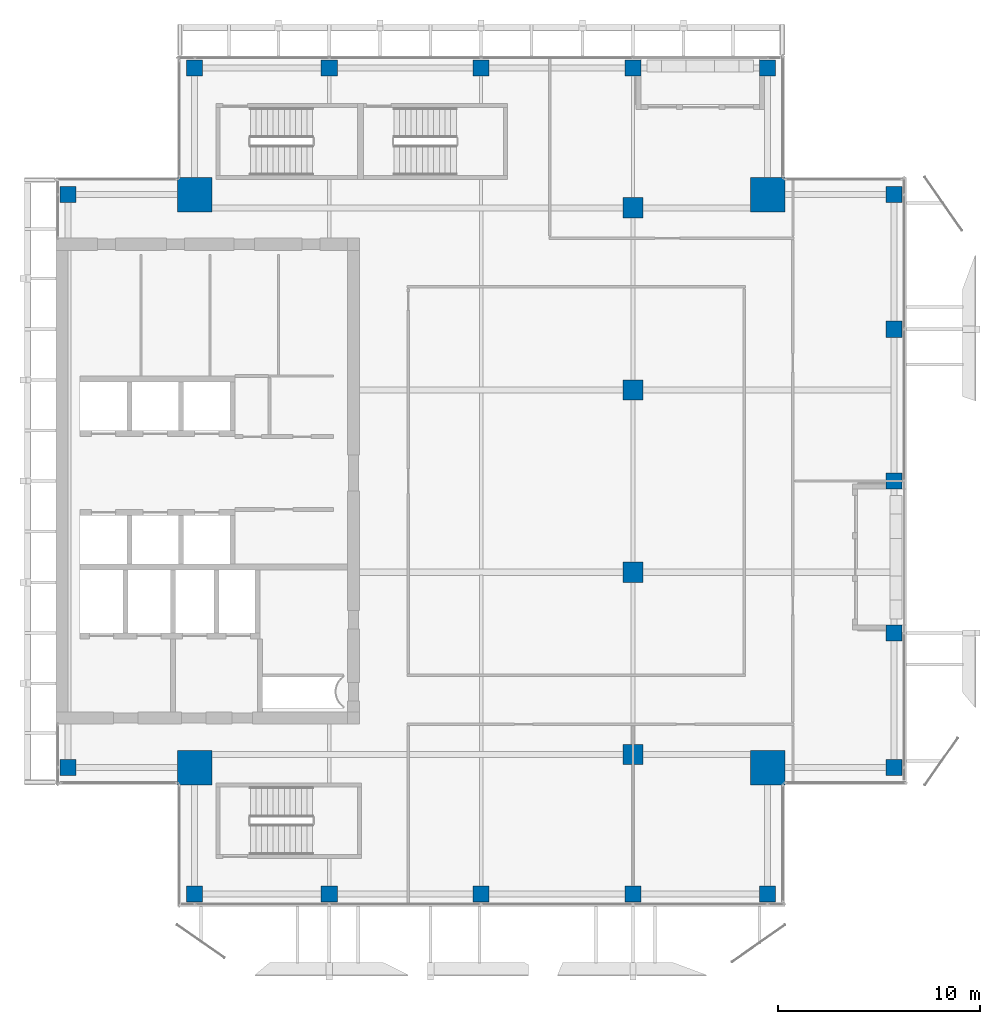
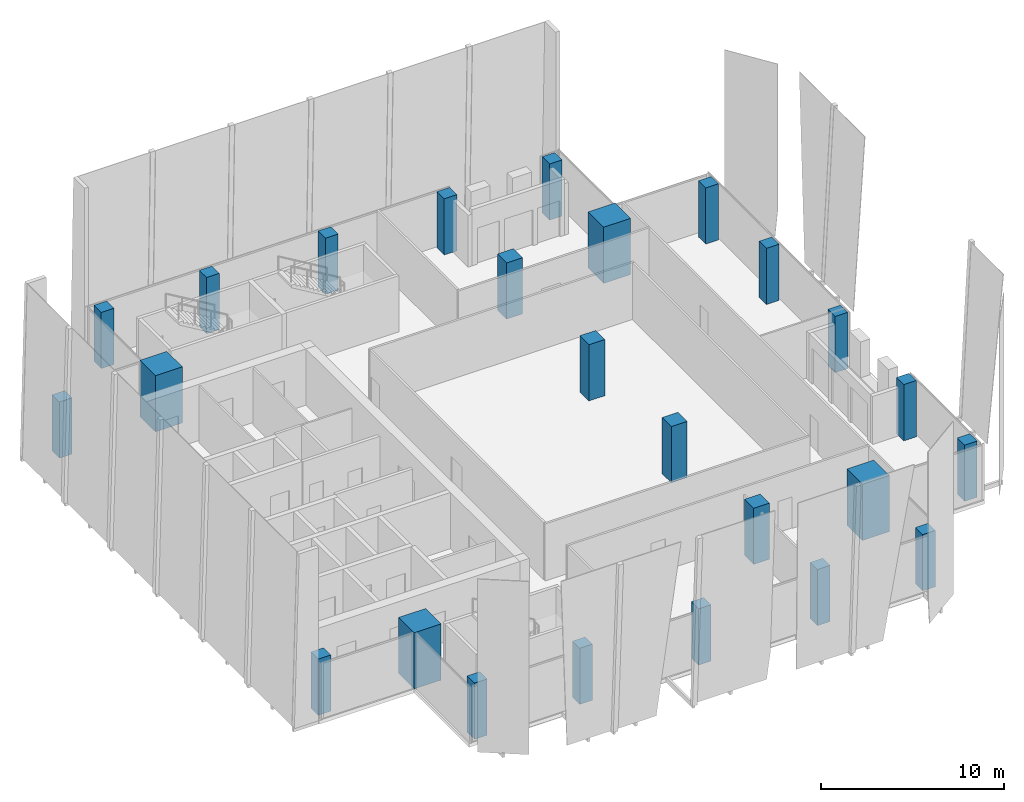
# One storey, part 1 of 32: 25 columns.
"""IFC4 building model written with IfcOpenShell, lengths in metres."""

from ifc_helpers import new_model, si_unit, direction, frame, origin, origin_2d, place, context, subcontext, project, spatial, rectangle, extrude, source, transform, mapped, material, material_profile, profile_set, type_object, element, save


model = new_model("IFC4")

# Units and contexts
model_context = context("Model", 3, precision=1e-05, world=origin(), true_north=direction((0.0, 1.0)))
body_context = subcontext(model_context, "Body", "Model", "MODEL_VIEW")
ifc_project = project(units=[si_unit("LENGTHUNIT", "METRE"), si_unit("AREAUNIT", "SQUARE_METRE"), si_unit("VOLUMEUNIT", "CUBIC_METRE"), si_unit("PLANEANGLEUNIT", "RADIAN"), si_unit("MASSUNIT", "GRAM", prefix="KILO")], contexts=[model_context])

# Site, building, storey
site_placement = place(None, origin())
site = spatial("IfcSite", under=ifc_project, at=site_placement, CompositionType="ELEMENT")
building_placement = place(site_placement, origin())
building = spatial("IfcBuilding", under=site, at=building_placement, Name="Khomas Fold Tower", CompositionType="ELEMENT")
storey_placement = place(building_placement, frame((0.0, 0.0, 318.199951171875)))
storey = spatial("IfcBuildingStorey", under=building, at=storey_placement, Name="L72", CompositionType="ELEMENT", Elevation=318.199951171875)

# Columns
ifc_material_1 = material(Name="Concrete C50/60", Category="concrete")
ifc_material_profile_1 = material_profile(ifc_material_1, rectangle(XDim=1.0, YDim=1.0, at=origin_2d()), Name="RC 1000x1000")
ifc_profile_set_1 = profile_set([ifc_material_profile_1], Name="Concrete C50/60")
column_type_1 = type_object("IfcColumnType", Name="RC 1000x1000 column", PredefinedType="COLUMN", material=ifc_profile_set_1)
shared_shape_1 = source(origin(), body_context, "Body", "SweptSolid", [
    extrude(rectangle(XDim=1.0, YDim=1.0, at=origin_2d()), origin(), (0.0, 0.0, 1.0), 3.75),
])
for number, where, z_axis, x_axis, name in (
    (1, (34.5, 13.5, 0.0), (0.0, 0.0, 1.0), (1.0, 0.0, 0.0), "C-10-H"),
    (2, (34.5, 22.5, 0.0), (0.0, 0.0, 1.0), (1.0, 0.0, 0.0), "C-10-K"),
    (3, (34.5, 31.5, 0.0), (0.0, 0.0, 1.0), (1.0, 0.0, 0.0), "C-10-M"),
    (4, (34.5, 40.5, 0.0), (0.0, 0.0, 1.0), (1.0, 0.0, 0.0), "C-10-P"),
):
    element("IfcColumn", number, at=place(storey_placement, frame(where, z_axis=z_axis, x_axis=x_axis)), inside=storey, type_object=column_type_1, Name=name, PredefinedType="COLUMN", context=body_context, shape_type="MappedRepresentation", body=[
        mapped(shared_shape_1, transform((0.0, 0.0, 0.0))),
    ])
ifc_material_2 = material(Name="Concrete C60/75", Category="concrete")
ifc_material_profile_2 = material_profile(ifc_material_2, rectangle(XDim=1.699951171875, YDim=1.699951171875, at=origin_2d()), Name="RC 1700x1700")
ifc_profile_set_2 = profile_set([ifc_material_profile_2], Name="Concrete C60/75")
column_type_2 = type_object("IfcColumnType", Name="RC 1700x1700 column", PredefinedType="COLUMN", material=ifc_profile_set_2)
shared_shape_2 = source(origin(), body_context, "Body", "SweptSolid", [
    extrude(rectangle(XDim=1.699951171875, YDim=1.699951171875, at=origin_2d()), origin(), (0.0, 0.0, 1.0), 3.75),
])
for number, where, z_axis, x_axis, name in (
    (5, (41.14990234375, 41.14990234375, 0.0), (0.0, 0.0, 1.0), (1.0, 0.0, 0.0), "CM-NE"),
    (6, (12.85009765625, 41.14990234375, 0.0), (0.0, 0.0, 1.0), (1.0, 0.0, 0.0), "CM-NW"),
    (7, (41.14990234375, 12.85009765625, 0.0), (0.0, 0.0, 1.0), (1.0, 0.0, 0.0), "CM-SE"),
    (8, (12.85009765625, 12.85009765625, 0.0), (0.0, 0.0, 1.0), (1.0, 0.0, 0.0), "CM-SW"),
):
    element("IfcColumn", number, at=place(storey_placement, frame(where, z_axis=z_axis, x_axis=x_axis)), inside=storey, type_object=column_type_2, Name=name, PredefinedType="COLUMN", context=body_context, shape_type="MappedRepresentation", body=[
        mapped(shared_shape_2, transform((0.0, 0.0, 0.0))),
    ])
ifc_material_3 = material(Name="Concrete C50/60", Category="concrete")
ifc_material_profile_3 = material_profile(ifc_material_3, rectangle(XDim=0.800048828125, YDim=0.800048828125, at=origin_2d()), Name="RC 800x800")
ifc_profile_set_3 = profile_set([ifc_material_profile_3], Name="Concrete C50/60")
column_type_3 = type_object("IfcColumnType", Name="RC 800x800 column", PredefinedType="COLUMN", material=ifc_profile_set_3)
shared_shape_3 = source(origin(), body_context, "Body", "SweptSolid", [
    extrude(rectangle(XDim=0.800048828125, YDim=0.800048828125, at=origin_2d()), origin(), (0.0, 0.0, 1.0), 3.75),
])
for number, where, z_axis, x_axis, name in (
    (9, (12.85009765625, 6.60009765625, 0.0), (0.0, 0.0, 1.0), (1.0, 0.0, 0.0), "C-7-SF5"),
    (10, (19.5, 6.60009765625, 0.0), (0.0, 0.0, 1.0), (1.0, 0.0, 0.0), "C-8-SF5"),
    (11, (27.0, 6.60009765625, 0.0), (0.0, 0.0, 1.0), (1.0, 0.0, 0.0), "C-9-SF5"),
    (12, (34.5, 6.60009765625, 0.0), (0.0, 0.0, 1.0), (1.0, 0.0, 0.0), "C-10-SF5"),
    (13, (41.14990234375, 6.60009765625, 0.0), (0.0, 0.0, 1.0), (1.0, 0.0, 0.0), "C-12-SF5"),
    (14, (47.39990234375, 12.85009765625, 0.0), (0.0, 0.0, 1.0), (1.0, 0.0, 0.0), "C-E5-G"),
    (15, (47.39990234375, 19.5, 0.0), (0.0, 0.0, 1.0), (1.0, 0.0, 0.0), "C-E5-J"),
    (16, (47.39990234375, 27.0, 0.0), (0.0, 0.0, 1.0), (1.0, 0.0, 0.0), "C-E5-L"),
    (17, (47.39990234375, 34.5, 0.0), (0.0, 0.0, 1.0), (1.0, 0.0, 0.0), "C-E5-N"),
    (18, (47.39990234375, 41.14990234375, 0.0), (0.0, 0.0, 1.0), (1.0, 0.0, 0.0), "C-E5-Q"),
    (19, (12.85009765625, 47.39990234375, 0.0), (0.0, 0.0, 1.0), (1.0, 0.0, 0.0), "C-7-NF5"),
    (20, (19.5, 47.39990234375, 0.0), (0.0, 0.0, 1.0), (1.0, 0.0, 0.0), "C-8-NF5"),
    (21, (27.0, 47.39990234375, 0.0), (0.0, 0.0, 1.0), (1.0, 0.0, 0.0), "C-9-NF5"),
    (22, (34.5, 47.39990234375, 0.0), (0.0, 0.0, 1.0), (1.0, 0.0, 0.0), "C-10-NF5"),
    (23, (41.14990234375, 47.39990234375, 0.0), (0.0, 0.0, 1.0), (1.0, 0.0, 0.0), "C-12-NF5"),
    (24, (6.60009765625, 12.85009765625, 0.0), (0.0, 0.0, 1.0), (1.0, 0.0, 0.0), "C-W5-G"),
    (25, (6.60009765625, 41.14990234375, 0.0), (0.0, 0.0, 1.0), (1.0, 0.0, 0.0), "C-W5-Q"),
):
    element("IfcColumn", number, at=place(storey_placement, frame(where, z_axis=z_axis, x_axis=x_axis)), inside=storey, type_object=column_type_3, Name=name, PredefinedType="COLUMN", context=body_context, shape_type="MappedRepresentation", body=[
        mapped(shared_shape_3, transform((0.0, 0.0, 0.0))),
    ])

save(model, "model.ifc")
